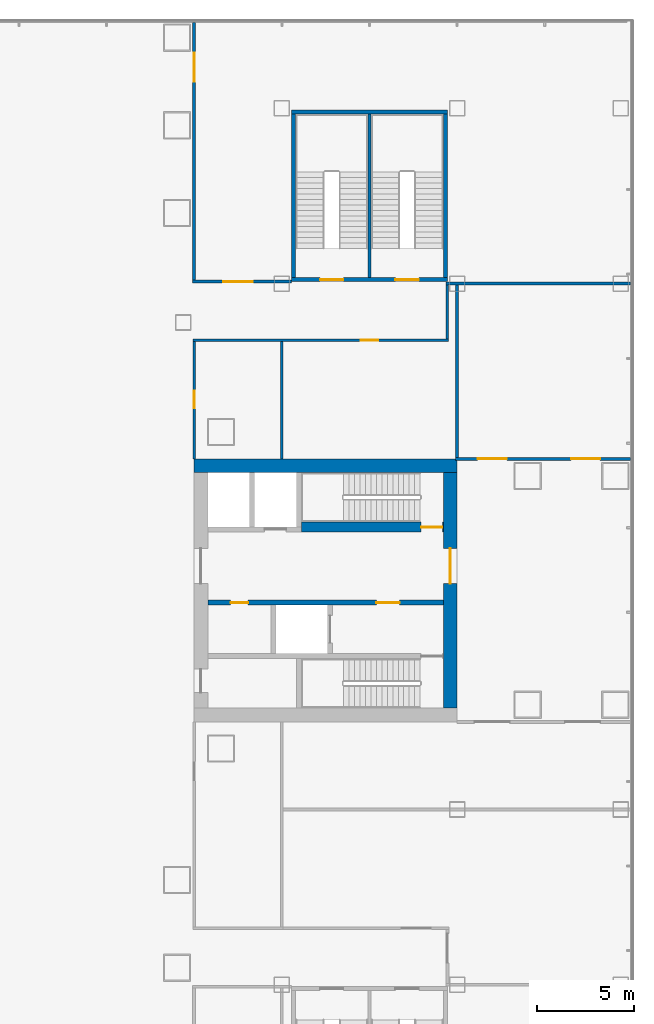
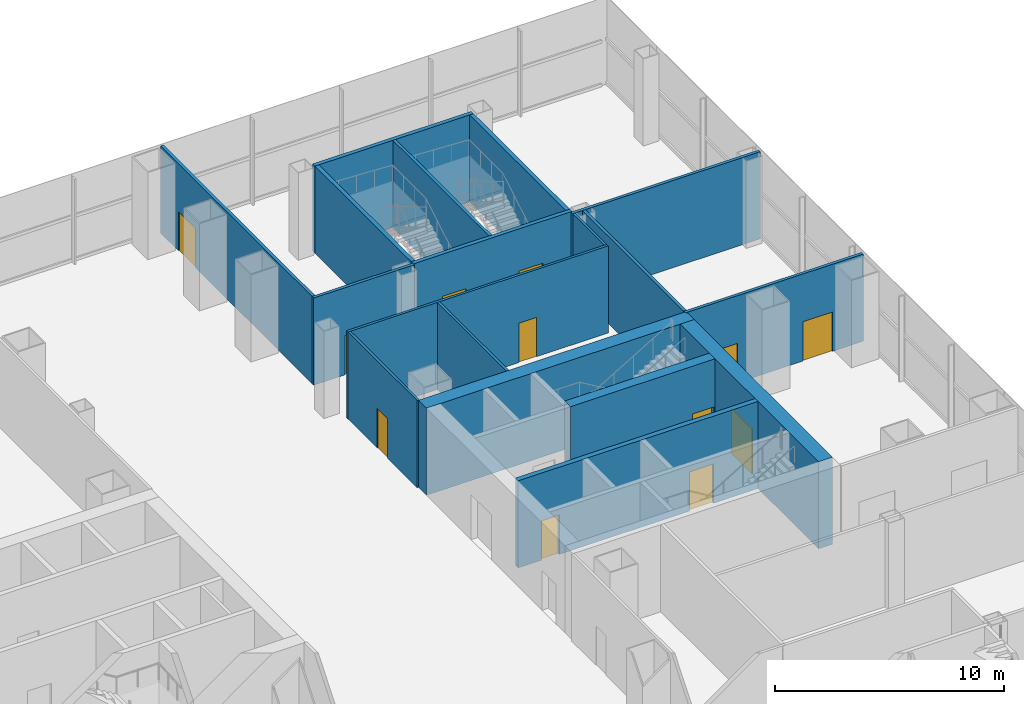
# One storey, part 23 of 30: 18 walls, 12 doors, 12 openings.
"""IFC4 building model written with IfcOpenShell, lengths in metres."""

from ifc_helpers import new_model, si_unit, direction, frame, frame_2d, origin, place, context, subcontext, project, spatial, rectangle, extrude, material, layer, layer_set, type_object, element, fill, save


model = new_model("IFC4")

# Units and contexts
model_context = context("Model", 3, precision=1e-05, world=origin(), true_north=direction((0.0, 1.0)))
body_context = subcontext(model_context, "Body", "Model", "MODEL_VIEW")
ifc_project = project(units=[si_unit("LENGTHUNIT", "METRE"), si_unit("AREAUNIT", "SQUARE_METRE"), si_unit("VOLUMEUNIT", "CUBIC_METRE"), si_unit("PLANEANGLEUNIT", "RADIAN"), si_unit("MASSUNIT", "GRAM", prefix="KILO")], contexts=[model_context])

# Site, building, storey
site_placement = place(None, origin())
site = spatial("IfcSite", under=ifc_project, at=site_placement, CompositionType="ELEMENT")
building_placement = place(site_placement, origin())
building = spatial("IfcBuilding", under=site, at=building_placement, Name="Shamsa Quay Exchange Towers", CompositionType="ELEMENT")
storey_placement = place(building_placement, frame((0.0, 0.0, 23.5)))
storey = spatial("IfcBuildingStorey", under=building, at=storey_placement, Name="L04", CompositionType="ELEMENT", Elevation=23.5)

# Wall
ifc_material_1 = material(Name="Concrete C80/95", Category="concrete")
ifc_layer_1 = layer(ifc_material_1, 0.699951171875)
ifc_layer_set_1 = layer_set([ifc_layer_1], Name="CORE WALL 700 C80/95")
wall_type_1 = type_object("IfcWallType", Name="CORE WALL 700 C80/95", PredefinedType="SHEAR", material=ifc_layer_set_1)
wall_1_placement = place(storey_placement, frame((54.0, 6.39990234375, 0.0), z_axis=(0.0, 0.0, 1.0), x_axis=(-1.0, 0.0, 0.0)))
element("IfcWall", 1, at=wall_1_placement, inside=storey, type_object=wall_type_1, Name="Core wall T2B-L04-PN", PredefinedType="SHEAR", context=body_context, shape_type="SweptSolid", body=[
    extrude(rectangle(XDim=13.5, YDim=0.699951171875, at=frame_2d((6.75, 0.0))), origin(), (0.0, 0.0, 1.0), 4.64990234375),
])

# Wall, opening, door
wall_2_placement = place(storey_placement, frame((53.64990234375, -6.050048828125, 0.0), z_axis=(0.0, 0.0, 1.0), x_axis=(0.0, 1.0, 0.0)))
wall_2 = element("IfcWall", 2, at=wall_2_placement, inside=storey, type_object=wall_type_1, Name="Core wall T2B-L04-PF", PredefinedType="SHEAR", context=body_context, shape_type="SweptSolid", body=[
    extrude(rectangle(XDim=12.10009765625, YDim=0.699951171875, at=frame_2d((6.050048828125, 0.0))), origin(), (0.0, 0.0, 1.0), 4.64990234375),
])
opening_1_placement = place(wall_2_placement, frame((6.39990234375, 0.0, 0.0)))
opening_1 = element("IfcOpeningElement", 3, at=opening_1_placement, cuts=wall_2, Name="Opening T2B-L04-LBD01", PredefinedType="OPENING", context=body_context, shape_type="SweptSolid", body=[
    extrude(rectangle(XDim=1.800048828125, YDim=2.39990234375, at=frame_2d((0.89990234375, 1.199951171875))), frame((0.0, 0.35986328125, 0.0), z_axis=(0.0, -1.0, 0.0), x_axis=(1.0, 0.0, 0.0)), (0.0, 0.0, 1.0), 0.719970703125),
])
ifc_material_2 = material(Name="Steel, fire rated", Category="steel")
door_type_1 = type_object("IfcDoorType", Name="LIFT LOBBY DOOR PAIR 1800", OperationType="DOUBLE_DOOR_SINGLE_SWING", PredefinedType="DOOR", material=ifc_material_2)
door_1_placement = place(opening_1_placement, origin())
door_1 = element("IfcDoor", 4, at=door_1_placement, inside=storey, type_object=door_type_1, Name="T2B-L04-LBD01", OperationType="DOUBLE_DOOR_SINGLE_SWING", OverallHeight=2.39990234375, OverallWidth=1.800048828125, PredefinedType="DOOR", context=body_context, shape_type="SweptSolid", body=[
    extrude(rectangle(XDim=1.800048828125, YDim=2.39990234375, at=frame_2d((0.89990234375, 1.199951171875))), frame((0.0, 0.02490234375, 0.0), z_axis=(0.0, -1.0, 0.0), x_axis=(1.0, 0.0, 0.0)), (0.0, 0.0, 1.0), 0.050048828125),
])
fill(opening_1, door_1)

ifc_material_3 = material(Name="Laminated fire-resisting glass in a metal frame", Category="glass")
ifc_layer_2 = layer(ifc_material_3, 0.125)
ifc_layer_set_2 = layer_set([ifc_layer_2], Name="Glazed partition 125 mm EI 60")
wall_type_2 = type_object("IfcWallType", Name="Glazed partition 125 mm EI 60", PredefinedType="PARTITIONING", material=ifc_layer_set_2)
wall_3_placement = place(storey_placement, frame((40.5, 12.787109375, 0.0), z_axis=(0.0, 0.0, 1.0), x_axis=(0.0, -1.0, 0.0)))
wall_3 = element("IfcWall", 5, at=wall_3_placement, inside=storey, type_object=wall_type_2, Name="Partition PD-L04-W13", PredefinedType="PARTITIONING", context=body_context, shape_type="SweptSolid", body=[
    extrude(rectangle(XDim=6.037109375, YDim=0.125, at=frame_2d((3.0185546875, 0.0))), origin(), (0.0, 0.0, 1.0), 4.64990234375),
])
opening_2_placement = place(wall_3_placement, frame((2.537353515625, 0.0, 0.0)))
opening_2 = element("IfcOpeningElement", 6, at=opening_2_placement, cuts=wall_3, Name="Opening PD-L04-D42", PredefinedType="OPENING", context=body_context, shape_type="SweptSolid", body=[
    extrude(rectangle(XDim=0.89990234375, YDim=2.10009765625, at=frame_2d((0.449951171875, 1.050048828125))), frame((0.0, 0.072509765625, 0.0), z_axis=(0.0, -1.0, 0.0), x_axis=(1.0, 0.0, 0.0)), (0.0, 0.0, 1.0), 0.14501953125),
])
ifc_material_4 = material(Name="Timber door leaf in a metal frame", Category="wood")
door_type_2 = type_object("IfcDoorType", Name="Door 900x2100 FD30S", OperationType="NOTDEFINED", PredefinedType="DOOR", material=ifc_material_4)
door_2_placement = place(opening_2_placement, origin())
door_2 = element("IfcDoor", 7, at=door_2_placement, inside=storey, type_object=door_type_2, Name="Door PD-L04-D42", OperationType="SINGLE_SWING_LEFT", OverallHeight=2.10009765625, OverallWidth=0.89990234375, PredefinedType="DOOR", context=body_context, shape_type="SweptSolid", body=[
    extrude(rectangle(XDim=0.89990234375, YDim=2.10009765625, at=frame_2d((0.449951171875, 1.050048828125))), frame((0.0, 0.02490234375, 0.0), z_axis=(0.0, -1.0, 0.0), x_axis=(1.0, 0.0, 0.0)), (0.0, 0.0, 1.0), 0.050048828125),
])
fill(opening_2, door_2)

wall_4_placement = place(storey_placement, frame((53.5625, 12.849609375, 0.0), z_axis=(0.0, 0.0, 1.0), x_axis=(-1.0, 0.0, 0.0)))
wall_4 = element("IfcWall", 8, at=wall_4_placement, inside=storey, type_object=wall_type_2, Name="Partition PD-L04-W33", PredefinedType="PARTITIONING", context=body_context, shape_type="SweptSolid", body=[
    extrude(rectangle(XDim=13.125, YDim=0.125, at=frame_2d((6.5625, 0.0))), origin(), (0.0, 0.0, 1.0), 4.64990234375),
])
opening_3_placement = place(wall_4_placement, frame((3.612548828125, 0.0, 0.0)))
opening_3 = element("IfcOpeningElement", 9, at=opening_3_placement, cuts=wall_4, Name="Opening PD-L04-D47", PredefinedType="OPENING", context=body_context, shape_type="SweptSolid", body=[
    extrude(rectangle(XDim=0.89990234375, YDim=2.10009765625, at=frame_2d((0.449951171875, 1.050048828125))), frame((0.0, 0.072509765625, 0.0), z_axis=(0.0, -1.0, 0.0), x_axis=(1.0, 0.0, 0.0)), (0.0, 0.0, 1.0), 0.14501953125),
])
door_3_placement = place(opening_3_placement, origin())
door_3 = element("IfcDoor", 10, at=door_3_placement, inside=storey, type_object=door_type_2, Name="Door PD-L04-D47", OperationType="SINGLE_SWING_LEFT", OverallHeight=2.10009765625, OverallWidth=0.89990234375, PredefinedType="DOOR", context=body_context, shape_type="SweptSolid", body=[
    extrude(rectangle(XDim=0.89990234375, YDim=2.10009765625, at=frame_2d((0.449951171875, 1.050048828125))), frame((0.0, 0.02490234375, 0.0), z_axis=(0.0, -1.0, 0.0), x_axis=(1.0, 0.0, 0.0)), (0.0, 0.0, 1.0), 0.050048828125),
])
fill(opening_3, door_3)

# Walls
wall_5_placement = place(storey_placement, frame((53.5, 15.675048828125, 0.0), z_axis=(0.0, 0.0, 1.0), x_axis=(0.0, -1.0, 0.0)))
element("IfcWall", 11, at=wall_5_placement, inside=storey, type_object=wall_type_2, Name="Partition PD-L04-W40", PredefinedType="PARTITIONING", context=body_context, shape_type="SweptSolid", body=[
    extrude(rectangle(XDim=2.762939453125, YDim=0.125, at=frame_2d((1.38134765625, 0.0))), origin(), (0.0, 0.0, 1.0), 4.64990234375),
])
wall_6_placement = place(storey_placement, frame((45.0, 12.787109375, 0.0), z_axis=(0.0, 0.0, 1.0), x_axis=(0.0, -1.0, 0.0)))
element("IfcWall", 12, at=wall_6_placement, inside=storey, type_object=wall_type_2, Name="Partition PD-L04-W88", PredefinedType="PARTITIONING", context=body_context, shape_type="SweptSolid", body=[
    extrude(rectangle(XDim=6.037109375, YDim=0.125, at=frame_2d((3.0185546875, 0.0))), origin(), (0.0, 0.0, 1.0), 4.64990234375),
])

# Wall, opening, door
ifc_material_5 = material(Name="Gypsum board partition on metal studs")
ifc_layer_3 = layer(ifc_material_5, 0.14990234375)
ifc_layer_set_3 = layer_set([ifc_layer_3], Name="Partition 150 mm EI 60")
wall_type_3 = type_object("IfcWallType", Name="Partition 150 mm EI 60", PredefinedType="PARTITIONING", material=ifc_layer_set_3)
wall_7_placement = place(storey_placement, frame((40.5, 15.924560546875, 0.0), z_axis=(0.0, 0.0, 1.0), x_axis=(0.0, 1.0, 0.0)))
wall_7 = element("IfcWall", 13, at=wall_7_placement, inside=storey, type_object=wall_type_3, Name="Partition PD-L04-W08", PredefinedType="PARTITIONING", context=body_context, shape_type="SweptSolid", body=[
    extrude(rectangle(XDim=13.23046875, YDim=0.14990234375, at=frame_2d((6.615234375, 0.0))), origin(), (0.0, 0.0, 1.0), 4.64990234375),
])
opening_4_placement = place(wall_7_placement, frame((10.17529296875, 0.0, 0.0)))
opening_4 = element("IfcOpeningElement", 14, at=opening_4_placement, cuts=wall_7, Name="Opening PD-L04-D43", PredefinedType="OPENING", context=body_context, shape_type="SweptSolid", body=[
    extrude(rectangle(XDim=1.5, YDim=2.10009765625, at=frame_2d((0.75, 1.050048828125))), frame((0.0, 0.0849609375, 0.0), z_axis=(0.0, -1.0, 0.0), x_axis=(1.0, 0.0, 0.0)), (0.0, 0.0, 1.0), 0.169921875),
])
door_type_3 = type_object("IfcDoorType", Name="Door 1500x2100 FD30S pair", OperationType="NOTDEFINED", PredefinedType="DOOR", material=ifc_material_4)
door_4_placement = place(opening_4_placement, origin())
door_4 = element("IfcDoor", 15, at=door_4_placement, inside=storey, type_object=door_type_3, Name="Door PD-L04-D43", OperationType="DOUBLE_DOOR_SINGLE_SWING", OverallHeight=2.10009765625, OverallWidth=1.5, PredefinedType="DOOR", context=body_context, shape_type="SweptSolid", body=[
    extrude(rectangle(XDim=1.5, YDim=2.10009765625, at=frame_2d((0.75, 1.050048828125))), frame((0.0, 0.02490234375, 0.0), z_axis=(0.0, -1.0, 0.0), x_axis=(1.0, 0.0, 0.0)), (0.0, 0.0, 1.0), 0.050048828125),
])
fill(opening_4, door_4)

# Wall, openings, doors
wall_8_placement = place(storey_placement, frame((62.905029296875, 6.75, 0.0), z_axis=(0.0, 0.0, 1.0), x_axis=(-1.0, 0.0, 0.0)))
wall_8 = element("IfcWall", 16, at=wall_8_placement, inside=storey, type_object=wall_type_3, Name="Partition PD-L04-W26", PredefinedType="PARTITIONING", context=body_context, shape_type="SweptSolid", body=[
    extrude(rectangle(XDim=8.97998046875, YDim=0.14990234375, at=frame_2d((4.489990234375, 0.0))), origin(), (0.0, 0.0, 1.0), 4.64990234375),
])
opening_5_placement = place(wall_8_placement, frame((1.554931640625, 0.0, 0.0)))
opening_5 = element("IfcOpeningElement", 17, at=opening_5_placement, cuts=wall_8, Name="Opening PD-L04-D50", PredefinedType="OPENING", context=body_context, shape_type="SweptSolid", body=[
    extrude(rectangle(XDim=1.5, YDim=2.10009765625, at=frame_2d((0.75, 1.050048828125))), frame((0.0, 0.0849609375, 0.0), z_axis=(0.0, -1.0, 0.0), x_axis=(1.0, 0.0, 0.0)), (0.0, 0.0, 1.0), 0.169921875),
])
opening_6_placement = place(wall_8_placement, frame((6.35498046875, 0.0, 0.0)))
opening_6 = element("IfcOpeningElement", 18, at=opening_6_placement, cuts=wall_8, Name="Opening PD-L04-D51", PredefinedType="OPENING", context=body_context, shape_type="SweptSolid", body=[
    extrude(rectangle(XDim=1.5, YDim=2.10009765625, at=frame_2d((0.75, 1.050048828125))), frame((0.0, 0.0849609375, 0.0), z_axis=(0.0, -1.0, 0.0), x_axis=(1.0, 0.0, 0.0)), (0.0, 0.0, 1.0), 0.169921875),
])
door_5_placement = place(opening_5_placement, origin())
door_5 = element("IfcDoor", 19, at=door_5_placement, inside=storey, type_object=door_type_3, Name="Door PD-L04-D50", OperationType="DOUBLE_DOOR_SINGLE_SWING", OverallHeight=2.10009765625, OverallWidth=1.5, PredefinedType="DOOR", context=body_context, shape_type="SweptSolid", body=[
    extrude(rectangle(XDim=1.5, YDim=2.10009765625, at=frame_2d((0.75, 1.050048828125))), frame((0.0, 0.02490234375, 0.0), z_axis=(0.0, -1.0, 0.0), x_axis=(1.0, 0.0, 0.0)), (0.0, 0.0, 1.0), 0.050048828125),
])
fill(opening_5, door_5)
door_6_placement = place(opening_6_placement, origin())
door_6 = element("IfcDoor", 20, at=door_6_placement, inside=storey, type_object=door_type_3, Name="Door PD-L04-D51", OperationType="DOUBLE_DOOR_SINGLE_SWING", OverallHeight=2.10009765625, OverallWidth=1.5, PredefinedType="DOOR", context=body_context, shape_type="SweptSolid", body=[
    extrude(rectangle(XDim=1.5, YDim=2.10009765625, at=frame_2d((0.75, 1.050048828125))), frame((0.0, 0.02490234375, 0.0), z_axis=(0.0, -1.0, 0.0), x_axis=(1.0, 0.0, 0.0)), (0.0, 0.0, 1.0), 0.050048828125),
])
fill(opening_6, door_6)

# Wall, opening, door
wall_9_placement = place(storey_placement, frame((45.5, 15.849609375, 0.0), z_axis=(0.0, 0.0, 1.0), x_axis=(-1.0, 0.0, 0.0)))
wall_9 = element("IfcWall", 21, at=wall_9_placement, inside=storey, type_object=wall_type_3, Name="Partition PD-L04-W30", PredefinedType="PARTITIONING", context=body_context, shape_type="SweptSolid", body=[
    extrude(rectangle(XDim=5.074951171875, YDim=0.14990234375, at=frame_2d((2.53759765625, 0.0))), origin(), (0.0, 0.0, 1.0), 4.64990234375),
])
opening_7_placement = place(wall_9_placement, frame((2.0, 0.0, 0.0)))
opening_7 = element("IfcOpeningElement", 22, at=opening_7_placement, cuts=wall_9, Name="Opening PD-L04-D44", PredefinedType="OPENING", context=body_context, shape_type="SweptSolid", body=[
    extrude(rectangle(XDim=1.5, YDim=2.10009765625, at=frame_2d((0.75, 1.050048828125))), frame((0.0, 0.0849609375, 0.0), z_axis=(0.0, -1.0, 0.0), x_axis=(1.0, 0.0, 0.0)), (0.0, 0.0, 1.0), 0.169921875),
])
door_7_placement = place(opening_7_placement, origin())
door_7 = element("IfcDoor", 23, at=door_7_placement, inside=storey, type_object=door_type_3, Name="Door PD-L04-D44", OperationType="DOUBLE_DOOR_SINGLE_SWING", OverallHeight=2.10009765625, OverallWidth=1.5, PredefinedType="DOOR", context=body_context, shape_type="SweptSolid", body=[
    extrude(rectangle(XDim=1.5, YDim=2.10009765625, at=frame_2d((0.75, 1.050048828125))), frame((0.0, 0.02490234375, 0.0), z_axis=(0.0, -1.0, 0.0), x_axis=(1.0, 0.0, 0.0)), (0.0, 0.0, 1.0), 0.050048828125),
])
fill(opening_7, door_7)

# Walls
wall_10_placement = place(storey_placement, frame((53.4375, 15.75, 0.0)))
element("IfcWall", 24, at=wall_10_placement, inside=storey, type_object=wall_type_3, Name="Partition PD-L04-W54", PredefinedType="PARTITIONING", context=body_context, shape_type="SweptSolid", body=[
    extrude(rectangle(XDim=9.467529296875, YDim=0.14990234375, at=frame_2d((4.73388671875, 0.0))), origin(), (0.0, 0.0, 1.0), 4.64990234375),
])
wall_11_placement = place(storey_placement, frame((54.0, 15.675048828125, 0.0), z_axis=(0.0, 0.0, 1.0), x_axis=(0.0, -1.0, 0.0)))
element("IfcWall", 25, at=wall_11_placement, inside=storey, type_object=wall_type_3, Name="Partition PD-L04-W86", PredefinedType="PARTITIONING", context=body_context, shape_type="SweptSolid", body=[
    extrude(rectangle(XDim=8.85009765625, YDim=0.14990234375, at=frame_2d((4.425048828125, 0.0))), origin(), (0.0, 0.0, 1.0), 4.64990234375),
])

# Wall, openings, doors
ifc_material_6 = material(Name="Concrete C50/60", Category="concrete")
ifc_layer_4 = layer(ifc_material_6, 0.25)
ifc_layer_set_4 = layer_set([ifc_layer_4], Name="SHAFT WALL 250 C50/60")
wall_type_4 = type_object("IfcWallType", Name="SHAFT WALL 250 C50/60", PredefinedType="SHEAR", material=ifc_layer_set_4)
wall_12_placement = place(storey_placement, frame((53.300048828125, -0.625, 0.0), z_axis=(0.0, 0.0, 1.0), x_axis=(-1.0, 0.0, 0.0)))
wall_12 = element("IfcWall", 26, at=wall_12_placement, inside=storey, type_object=wall_type_4, Name="Shaft wall T2B-L04-B", PredefinedType="SHEAR", context=body_context, shape_type="SweptSolid", body=[
    extrude(rectangle(XDim=12.10009765625, YDim=0.25, at=frame_2d((6.050048828125, 0.0))), origin(), (0.0, 0.0, 1.0), 4.64990234375),
])
opening_8_placement = place(wall_12_placement, frame((2.25, 0.0, 0.0)))
opening_8 = element("IfcOpeningElement", 27, at=opening_8_placement, cuts=wall_12, Name="Opening T2B-L04-FD05", PredefinedType="OPENING", context=body_context, shape_type="SweptSolid", body=[
    extrude(rectangle(XDim=1.199951171875, YDim=2.10009765625, at=frame_2d((0.60009765625, 1.050048828125))), frame((0.0, 0.135009765625, 0.0), z_axis=(0.0, -1.0, 0.0), x_axis=(1.0, 0.0, 0.0)), (0.0, 0.0, 1.0), 0.27001953125),
])
opening_9_placement = place(wall_12_placement, frame((10.02490234375, 0.0, 0.0)))
opening_9 = element("IfcOpeningElement", 28, at=opening_9_placement, cuts=wall_12, Name="Opening T2B-L04-SV06", PredefinedType="OPENING", context=body_context, shape_type="SweptSolid", body=[
    extrude(rectangle(XDim=0.89990234375, YDim=2.10009765625, at=frame_2d((0.449951171875, 1.050048828125))), frame((0.0, 0.135009765625, 0.0), z_axis=(0.0, -1.0, 0.0), x_axis=(1.0, 0.0, 0.0)), (0.0, 0.0, 1.0), 0.27001953125),
])
door_type_4 = type_object("IfcDoorType", Name="FIRE SERVICE LOBBY DOOR 1200", OperationType="SINGLE_SWING_LEFT", PredefinedType="DOOR", material=ifc_material_2)
door_8_placement = place(opening_8_placement, origin())
door_8 = element("IfcDoor", 29, at=door_8_placement, inside=storey, type_object=door_type_4, Name="T2B-L04-FD05", OperationType="SINGLE_SWING_LEFT", OverallHeight=2.10009765625, OverallWidth=1.199951171875, PredefinedType="DOOR", context=body_context, shape_type="SweptSolid", body=[
    extrude(rectangle(XDim=1.199951171875, YDim=2.10009765625, at=frame_2d((0.60009765625, 1.050048828125))), frame((0.0, 0.02490234375, 0.0), z_axis=(0.0, -1.0, 0.0), x_axis=(1.0, 0.0, 0.0)), (0.0, 0.0, 1.0), 0.050048828125),
])
fill(opening_8, door_8)
door_type_5 = type_object("IfcDoorType", Name="SERVICE ROOM DOOR 900", OperationType="SINGLE_SWING_LEFT", PredefinedType="DOOR", material=ifc_material_2)
door_9_placement = place(opening_9_placement, origin())
door_9 = element("IfcDoor", 30, at=door_9_placement, inside=storey, type_object=door_type_5, Name="T2B-L04-SV06", OperationType="SINGLE_SWING_RIGHT", OverallHeight=2.10009765625, OverallWidth=0.89990234375, PredefinedType="DOOR", context=body_context, shape_type="SweptSolid", body=[
    extrude(rectangle(XDim=0.89990234375, YDim=2.10009765625, at=frame_2d((0.449951171875, 1.050048828125))), frame((0.0, 0.02490234375, 0.0), z_axis=(0.0, -1.0, 0.0), x_axis=(1.0, 0.0, 0.0)), (0.0, 0.0, 1.0), 0.050048828125),
])
fill(opening_9, door_9)

# Wall, opening, door
ifc_layer_5 = layer(ifc_material_6, 0.5)
ifc_layer_set_5 = layer_set([ifc_layer_5], Name="SHAFT WALL 500 C50/60")
wall_type_5 = type_object("IfcWallType", Name="SHAFT WALL 500 C50/60", PredefinedType="SHEAR", material=ifc_layer_set_5)
wall_13_placement = place(storey_placement, frame((46.0, 3.25, 0.0)))
wall_13 = element("IfcWall", 31, at=wall_13_placement, inside=storey, type_object=wall_type_5, Name="Shaft wall T2B-L04-N", PredefinedType="SHEAR", context=body_context, shape_type="SweptSolid", body=[
    extrude(rectangle(XDim=7.300048828125, YDim=0.5, at=frame_2d((3.64990234375, 0.0))), origin(), (0.0, 0.0, 1.0), 4.64990234375),
])
opening_10_placement = place(wall_13_placement, frame((6.14990234375, 0.0, 0.0)))
opening_10 = element("IfcOpeningElement", 32, at=opening_10_placement, cuts=wall_13, Name="Opening T2B-L04-SD08", PredefinedType="OPENING", context=body_context, shape_type="SweptSolid", body=[
    extrude(rectangle(XDim=1.10009765625, YDim=2.10009765625, at=frame_2d((0.550048828125, 1.050048828125))), frame((0.0, 0.260009765625, 0.0), z_axis=(0.0, -1.0, 0.0), x_axis=(1.0, 0.0, 0.0)), (0.0, 0.0, 1.0), 0.52001953125),
])
door_type_6 = type_object("IfcDoorType", Name="STAIR DOOR 1100", OperationType="SINGLE_SWING_LEFT", PredefinedType="DOOR", material=ifc_material_2)
door_10_placement = place(opening_10_placement, origin())
door_10 = element("IfcDoor", 33, at=door_10_placement, inside=storey, type_object=door_type_6, Name="T2B-L04-SD08", OperationType="SINGLE_SWING_RIGHT", OverallHeight=2.10009765625, OverallWidth=1.10009765625, PredefinedType="DOOR", context=body_context, shape_type="SweptSolid", body=[
    extrude(rectangle(XDim=1.10009765625, YDim=2.10009765625, at=frame_2d((0.550048828125, 1.050048828125))), frame((0.0, 0.02490234375, 0.0), z_axis=(0.0, -1.0, 0.0), x_axis=(1.0, 0.0, 0.0)), (0.0, 0.0, 1.0), 0.050048828125),
])
fill(opening_10, door_10)

# Wall, openings, doors
ifc_layer_6 = layer(ifc_material_6, 0.199951171875)
ifc_layer_set_6 = layer_set([ifc_layer_6], Name="STAIR ENCLOSURE WALL 200 C50/60")
wall_type_6 = type_object("IfcWallType", Name="STAIR ENCLOSURE WALL 200 C50/60", PredefinedType="SHEAR", material=ifc_layer_set_6)
wall_14_placement = place(storey_placement, frame((45.5, 15.949951171875, 0.0)))
wall_14 = element("IfcWall", 34, at=wall_14_placement, inside=storey, type_object=wall_type_6, Name="Stair enclosure wall PS4 inward", PredefinedType="SHEAR", context=body_context, shape_type="SweptSolid", body=[
    extrude(rectangle(XDim=8.0, YDim=0.199951171875, at=frame_2d((4.0, 0.0))), origin(), (0.0, 0.0, 1.0), 4.64990234375),
])
opening_11_placement = place(wall_14_placement, frame((1.46240234375, 0.0, 0.0)))
opening_11 = element("IfcOpeningElement", 35, at=opening_11_placement, cuts=wall_14, Name="Opening PS4A-L04-SD01", PredefinedType="OPENING", context=body_context, shape_type="SweptSolid", body=[
    extrude(rectangle(XDim=1.199951171875, YDim=2.39990234375, at=frame_2d((0.60009765625, 1.199951171875))), frame((0.0, 0.10986328125, 0.0), z_axis=(0.0, -1.0, 0.0), x_axis=(1.0, 0.0, 0.0)), (0.0, 0.0, 1.0), 0.219970703125),
])
opening_12_placement = place(wall_14_placement, frame((5.33740234375, 0.0, 0.0)))
opening_12 = element("IfcOpeningElement", 36, at=opening_12_placement, cuts=wall_14, Name="Opening PS4B-L04-SD01", PredefinedType="OPENING", context=body_context, shape_type="SweptSolid", body=[
    extrude(rectangle(XDim=1.199951171875, YDim=2.39990234375, at=frame_2d((0.60009765625, 1.199951171875))), frame((0.0, 0.10986328125, 0.0), z_axis=(0.0, -1.0, 0.0), x_axis=(1.0, 0.0, 0.0)), (0.0, 0.0, 1.0), 0.219970703125),
])
door_type_7 = type_object("IfcDoorType", Name="PODIUM STAIR DOOR 1200", OperationType="SINGLE_SWING_LEFT", PredefinedType="DOOR", material=ifc_material_2)
door_11_placement = place(opening_11_placement, origin())
door_11 = element("IfcDoor", 37, at=door_11_placement, inside=storey, type_object=door_type_7, Name="PS4A-L04-SD01", OperationType="SINGLE_SWING_LEFT", OverallHeight=2.39990234375, OverallWidth=1.199951171875, PredefinedType="DOOR", context=body_context, shape_type="SweptSolid", body=[
    extrude(rectangle(XDim=1.199951171875, YDim=2.39990234375, at=frame_2d((0.60009765625, 1.199951171875))), frame((0.0, 0.02490234375, 0.0), z_axis=(0.0, -1.0, 0.0), x_axis=(1.0, 0.0, 0.0)), (0.0, 0.0, 1.0), 0.050048828125),
])
fill(opening_11, door_11)
door_12_placement = place(opening_12_placement, origin())
door_12 = element("IfcDoor", 38, at=door_12_placement, inside=storey, type_object=door_type_7, Name="PS4B-L04-SD01", OperationType="SINGLE_SWING_RIGHT", OverallHeight=2.39990234375, OverallWidth=1.199951171875, PredefinedType="DOOR", context=body_context, shape_type="SweptSolid", body=[
    extrude(rectangle(XDim=1.199951171875, YDim=2.39990234375, at=frame_2d((0.60009765625, 1.199951171875))), frame((0.0, 0.02490234375, 0.0), z_axis=(0.0, -1.0, 0.0), x_axis=(1.0, 0.0, 0.0)), (0.0, 0.0, 1.0), 0.050048828125),
])
fill(opening_12, door_12)

# Walls
wall_15_placement = place(storey_placement, frame((45.5, 24.550048828125, 0.0)))
element("IfcWall", 39, at=wall_15_placement, inside=storey, type_object=wall_type_6, Name="Stair enclosure wall PS4 outward", PredefinedType="SHEAR", context=body_context, shape_type="SweptSolid", body=[
    extrude(rectangle(XDim=8.0, YDim=0.199951171875, at=frame_2d((4.0, 0.0))), origin(), (0.0, 0.0, 1.0), 4.64990234375),
])
for number, where, z_axis, x_axis, name in (
    (40, (45.60009765625, 16.050048828125, 0.0), (0.0, 0.0, 1.0), (0.0, 1.0, 0.0), "Stair enclosure wall PS4 west"),
    (41, (53.39990234375, 16.050048828125, 0.0), (0.0, 0.0, 1.0), (0.0, 1.0, 0.0), "Stair enclosure wall PS4 east"),
):
    element("IfcWall", number, at=place(storey_placement, frame(where, z_axis=z_axis, x_axis=x_axis)), inside=storey, type_object=wall_type_6, Name=name, PredefinedType="SHEAR", context=body_context, shape_type="SweptSolid", body=[
        extrude(rectangle(XDim=8.39990234375, YDim=0.199951171875, at=frame_2d((4.199951171875, 0.0))), origin(), (0.0, 0.0, 1.0), 4.64990234375),
    ])
ifc_layer_7 = layer(ifc_material_6, 0.14990234375)
ifc_layer_set_7 = layer_set([ifc_layer_7], Name="STAIR PARTITION WALL 150 C50/60")
wall_type_7 = type_object("IfcWallType", Name="STAIR PARTITION WALL 150 C50/60", PredefinedType="SHEAR", material=ifc_layer_set_7)
wall_16_placement = place(storey_placement, frame((49.5, 16.050048828125, 0.0), z_axis=(0.0, 0.0, 1.0), x_axis=(0.0, 1.0, 0.0)))
element("IfcWall", 42, at=wall_16_placement, inside=storey, type_object=wall_type_7, Name="Stair enclosure wall PS4 between the stairs", PredefinedType="SHEAR", context=body_context, shape_type="SweptSolid", body=[
    extrude(rectangle(XDim=8.39990234375, YDim=0.14990234375, at=frame_2d((4.199951171875, 0.0))), origin(), (0.0, 0.0, 1.0), 4.64990234375),
])

save(model, "model.ifc")
